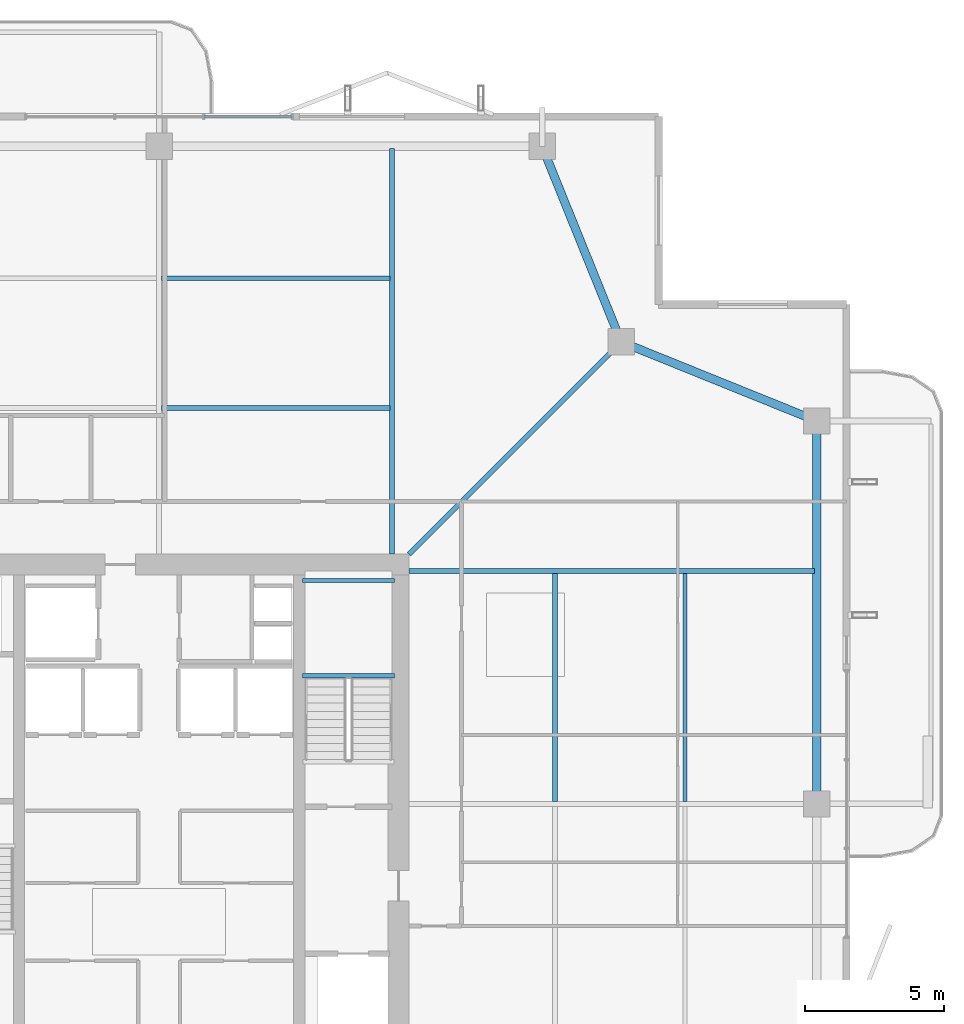
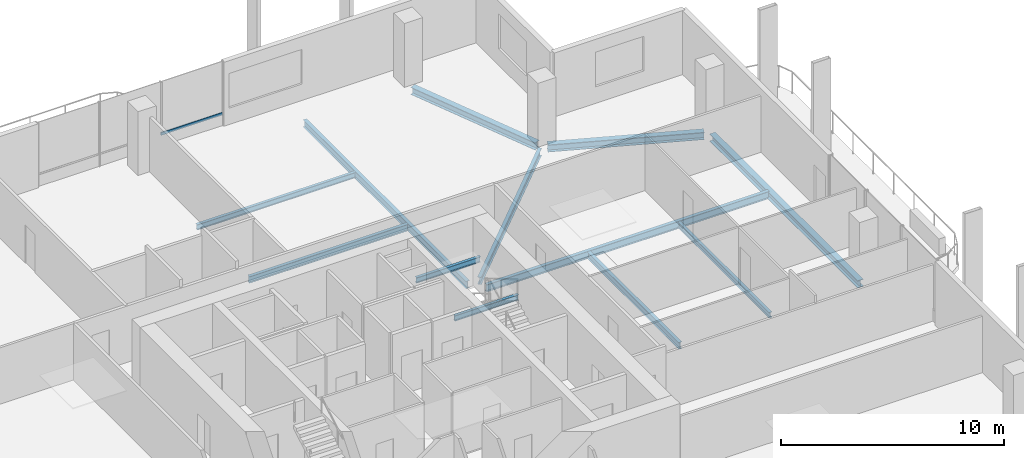
# One storey, part 14 of 25: 12 beams, 1 member, 1 element without a shape of its own.
"""IFC4 building model written with IfcOpenShell, lengths in metres."""

from ifc_helpers import new_model, si_unit, direction, frame, origin, origin_2d, place, context, subcontext, project, spatial, hollow_rectangle, i_section, extrude, material, layer, layer_set, material_profile, profile_set, type_object, element, aggregate, save


model = new_model("IFC4")

# Units and contexts
model_context = context("Model", 3, precision=1e-05, world=origin(), true_north=direction((0.0, 1.0)))
body_context = subcontext(model_context, "Body", "Model", "MODEL_VIEW")
ifc_project = project(units=[si_unit("LENGTHUNIT", "METRE"), si_unit("AREAUNIT", "SQUARE_METRE"), si_unit("VOLUMEUNIT", "CUBIC_METRE"), si_unit("PLANEANGLEUNIT", "RADIAN"), si_unit("MASSUNIT", "GRAM", prefix="KILO")], contexts=[model_context])

# Site, building, storey
site_placement = place(None, origin())
site = spatial("IfcSite", under=ifc_project, at=site_placement, CompositionType="ELEMENT")
building_placement = place(site_placement, origin())
building = spatial("IfcBuilding", under=site, at=building_placement, Name="Belovzor Exchange Tower", CompositionType="ELEMENT")
storey_placement = place(building_placement, frame((0.0, 0.0, 250.35009765625)))
storey = spatial("IfcBuildingStorey", under=building, at=storey_placement, Name="L62", CompositionType="ELEMENT", Elevation=250.35009765625)

# Beams
ifc_material_1 = material(Name="Steel S355", Category="steel")
ifc_material_profile_1 = material_profile(ifc_material_1, i_section(OverallWidth=0.169921875, OverallDepth=0.360107421875, WebThickness=0.008056640625, FlangeThickness=0.0126953125, at=origin_2d()))
ifc_profile_set_1 = profile_set([ifc_material_profile_1], Name="Steel S355")
beam_type_1 = type_object("IfcBeamType", Name="Secondary Infill Floor Joist IPE 360", PredefinedType="BEAM", material=ifc_profile_set_1)
for number, where, z_axis, x_axis, name in (
    (1, (28.889892578125, 43.06494140625, -0.43017578125), (1.0, 0.0, 0.0), (0.0, 1.0, 0.0), "FJ-360 Secondary Infill Floor Joist IPE 360"),
    (2, (43.06494140625, 28.889892578125, -0.43017578125), (0.0, 1.0, 0.0), (-1.0, 0.0, 0.0), "FJ-360 Secondary Infill Floor Joist IPE 360"),
):
    element("IfcBeam", number, at=place(storey_placement, frame(where, z_axis=z_axis, x_axis=x_axis)), inside=storey, type_object=beam_type_1, Name=name, PredefinedType="BEAM", context=body_context, shape_type="SweptSolid", body=[
        extrude(i_section(OverallWidth=0.169921875, OverallDepth=0.360107421875, WebThickness=0.008056640625, FlangeThickness=0.0126953125, at=origin_2d()), origin(), (0.0, 0.0, 1.0), 8.22021484375),
    ])
ifc_material_2 = material(Name="Steel S355", Category="steel")
ifc_material_profile_2 = material_profile(ifc_material_2, i_section(OverallWidth=0.14990234375, OverallDepth=0.300048828125, WebThickness=0.007080078125, FlangeThickness=0.0107421875, at=origin_2d()))
ifc_profile_set_2 = profile_set([ifc_material_profile_2], Name="Steel S355")
beam_type_2 = type_object("IfcBeamType", Name="Secondary Trim Floor Joist IPE 300", PredefinedType="BEAM", material=ifc_profile_set_2)
for number, where, z_axis, x_axis, name in (
    (3, (37.280029296875, 33.419921875, 1.52490234375), (-1.0, 0.0, 0.0), (0.0, -1.0, 0.0), "FJ-300 Secondary Trim Floor Joist IPE 300"),
    (4, (37.280029296875, 36.85009765625, 1.52490234375), (-1.0, 0.0, 0.0), (0.0, -1.0, 0.0), "FJ-300 Secondary Trim Floor Joist IPE 300"),
):
    element("IfcBeam", number, at=place(storey_placement, frame(where, z_axis=z_axis, x_axis=x_axis)), inside=storey, type_object=beam_type_2, Name=name, PredefinedType="BEAM", context=body_context, shape_type="SweptSolid", body=[
        extrude(i_section(OverallWidth=0.14990234375, OverallDepth=0.300048828125, WebThickness=0.007080078125, FlangeThickness=0.0107421875, at=origin_2d()), origin(), (0.0, 0.0, 1.0), 3.31005859375),
    ])
for number, where, z_axis, x_axis, name in (
    (5, (28.889892578125, 47.7451171875, -0.400146484375), (1.0, 0.0, 0.0), (0.0, 1.0, 0.0), "FJ-300 Secondary Trim Floor Joist IPE 300"),
    (6, (47.7451171875, 28.889892578125, -0.400146484375), (0.0, 1.0, 0.0), (-1.0, 0.0, 0.0), "FJ-300 Secondary Trim Floor Joist IPE 300"),
):
    element("IfcBeam", number, at=place(storey_placement, frame(where, z_axis=z_axis, x_axis=x_axis)), inside=storey, type_object=beam_type_2, Name=name, PredefinedType="BEAM", context=body_context, shape_type="SweptSolid", body=[
        extrude(i_section(OverallWidth=0.14990234375, OverallDepth=0.300048828125, WebThickness=0.007080078125, FlangeThickness=0.0107421875, at=origin_2d()), origin(), (0.0, 0.0, 1.0), 8.22021484375),
    ])

# Curtain wall, member
ifc_material_3 = material(Name="Anodised Aluminium Framing", Category="aluminium")
ifc_layer = layer(ifc_material_3, 0.179931640625)
ifc_layer_set = layer_set([ifc_layer], Name="Anodised Aluminium Framing")
curtain_wall_type = type_object("IfcCurtainWallType", Name="Recessed Loggia Low-Iron Triple-Glazed Curtain Wall", PredefinedType="NOTDEFINED", material=ifc_layer_set)
curtain_wall_placement = place(storey_placement, origin())
curtain_wall = element("IfcCurtainWall", 7, at=curtain_wall_placement, inside=storey, type_object=curtain_wall_type, Name="CW3 Recessed Loggia Low-Iron Triple-Glazed Curtain Wall L62", PredefinedType="NOTDEFINED")
ifc_material_4 = material(Name="Steel S355", Category="steel")
ifc_material_profile_3 = material_profile(ifc_material_4, hollow_rectangle(XDim=0.06005859375, YDim=0.14990234375, WallThickness=0.00390625, at=origin_2d()))
ifc_profile_set_3 = profile_set([ifc_material_profile_3], Name="Steel S355")
member_type = type_object("IfcMemberType", Name="Thermally Broken Curtain Wall Transom 150x60", PredefinedType="USERDEFINED", material=ifc_profile_set_3)
member_placement = place(storey_placement, frame((30.407958984375, 53.570068359375, 0.6298828125), z_axis=(1.0, 0.0, 0.0), x_axis=(0.0, 1.0, 0.0)))
member = element("IfcMember", 8, at=member_placement, type_object=member_type, Name="CW-T150 Curtain Wall Transom 3", ObjectType="TRANSOM", PredefinedType="USERDEFINED", context=body_context, shape_type="SweptSolid", body=[
    extrude(hollow_rectangle(XDim=0.06005859375, YDim=0.14990234375, WallThickness=0.00390625, at=origin_2d()), origin(), (0.0, 0.0, 1.0), 3.18408203125),
])
aggregate(curtain_wall, [member])

# Beams
ifc_material_5 = material(Name="Steel S355", Category="steel")
ifc_material_profile_4 = material_profile(ifc_material_5, i_section(OverallWidth=0.300048828125, OverallDepth=0.39990234375, WebThickness=0.013427734375, FlangeThickness=0.02392578125, at=origin_2d()))
ifc_profile_set_4 = profile_set([ifc_material_profile_4], Name="Steel S355")
beam_type_3 = type_object("IfcBeamType", Name="Zone 5 Primary Girder HEB 400", PredefinedType="BEAM", material=ifc_profile_set_4)
beam_1_placement = place(storey_placement, frame((52.5, 29.06103515625, -0.4501953125), z_axis=(0.0, 1.0, 0.0), x_axis=(-1.0, 0.0, 0.0)))
element("IfcBeam", 9, at=beam_1_placement, inside=storey, type_object=beam_type_3, Name="FG-Z5 Zone 5 Primary Girder HEB 400", PredefinedType="BEAM", context=body_context, shape_type="SweptSolid", body=[
    extrude(i_section(OverallWidth=0.300048828125, OverallDepth=0.39990234375, WebThickness=0.013427734375, FlangeThickness=0.02392578125, at=origin_2d()), origin(), (0.0, 0.0, 1.0), 13.278076171875),
])
for number, where, z_axis, x_axis, name in (
    (10, (52.258056640625, 42.697998046875, -0.4501953125), (-0.927127394661, 0.374746306278, 0.0), (-0.374746306278, -0.927127394661, 0.0), "FG-Z5 Zone 5 Primary Girder HEB 400"),
    (11, (45.35205078125, 45.69189453125, -0.4501953125), (-0.374746306278, 0.927127394661, 0.0), (-0.927127394661, -0.374746306278, 0.0), "FG-Z5 Zone 5 Primary Girder HEB 400"),
):
    element("IfcBeam", number, at=place(storey_placement, frame(where, z_axis=z_axis, x_axis=x_axis)), inside=storey, type_object=beam_type_3, Name=name, PredefinedType="BEAM", context=body_context, shape_type="SweptSolid", body=[
        extrude(i_section(OverallWidth=0.300048828125, OverallDepth=0.39990234375, WebThickness=0.013427734375, FlangeThickness=0.02392578125, at=origin_2d()), origin(), (0.0, 0.0, 1.0), 7.082275390625),
    ])
ifc_material_6 = material(Name="Steel S355", Category="steel")
ifc_material_profile_5 = material_profile(ifc_material_6, i_section(OverallWidth=0.179931640625, OverallDepth=0.39990234375, WebThickness=0.008544921875, FlangeThickness=0.013427734375, at=origin_2d()))
ifc_profile_set_5 = profile_set([ifc_material_profile_5], Name="Steel S355")
beam_type_4 = type_object("IfcBeamType", Name="Zone 5-6 Radial Composite Floor Beam IPE 400", PredefinedType="BEAM", material=ifc_profile_set_5)
for number, where, z_axis, x_axis, name in (
    (12, (37.199951171875, 37.800048828125, -0.4501953125), (0.0, 1.0, 0.0), (-1.0, 0.0, 0.0), "FB-400 Zone 5-6 Radial Composite Floor Beam IPE 400"),
    (13, (37.800048828125, 37.199951171875, -0.4501953125), (1.0, 0.0, 0.0), (0.0, 1.0, 0.0), "FB-400 Zone 5-6 Radial Composite Floor Beam IPE 400"),
):
    element("IfcBeam", number, at=place(storey_placement, frame(where, z_axis=z_axis, x_axis=x_axis)), inside=storey, type_object=beam_type_4, Name=name, PredefinedType="BEAM", context=body_context, shape_type="SweptSolid", body=[
        extrude(i_section(OverallWidth=0.179931640625, OverallDepth=0.39990234375, WebThickness=0.008544921875, FlangeThickness=0.013427734375, at=origin_2d()), origin(), (0.0, 0.0, 1.0), 14.625),
    ])
beam_2_placement = place(storey_placement, frame((37.800048828125, 37.800048828125, -0.4501953125), z_axis=(0.707106781187, 0.707106781187, 0.0), x_axis=(-0.707106781187, 0.707106781187, 0.0)))
element("IfcBeam", 14, at=beam_2_placement, inside=storey, type_object=beam_type_4, Name="FB-400 Zone 5-6 Radial Composite Floor Beam IPE 400", PredefinedType="BEAM", context=body_context, shape_type="SweptSolid", body=[
    extrude(i_section(OverallWidth=0.179931640625, OverallDepth=0.39990234375, WebThickness=0.008544921875, FlangeThickness=0.013427734375, at=origin_2d()), origin(), (0.0, 0.0, 1.0), 10.4833984375),
])

save(model, "model.ifc")
